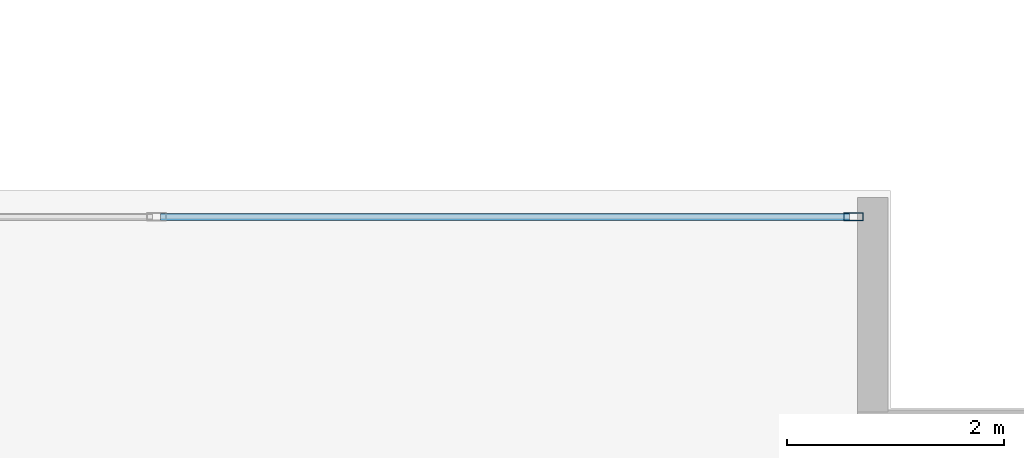
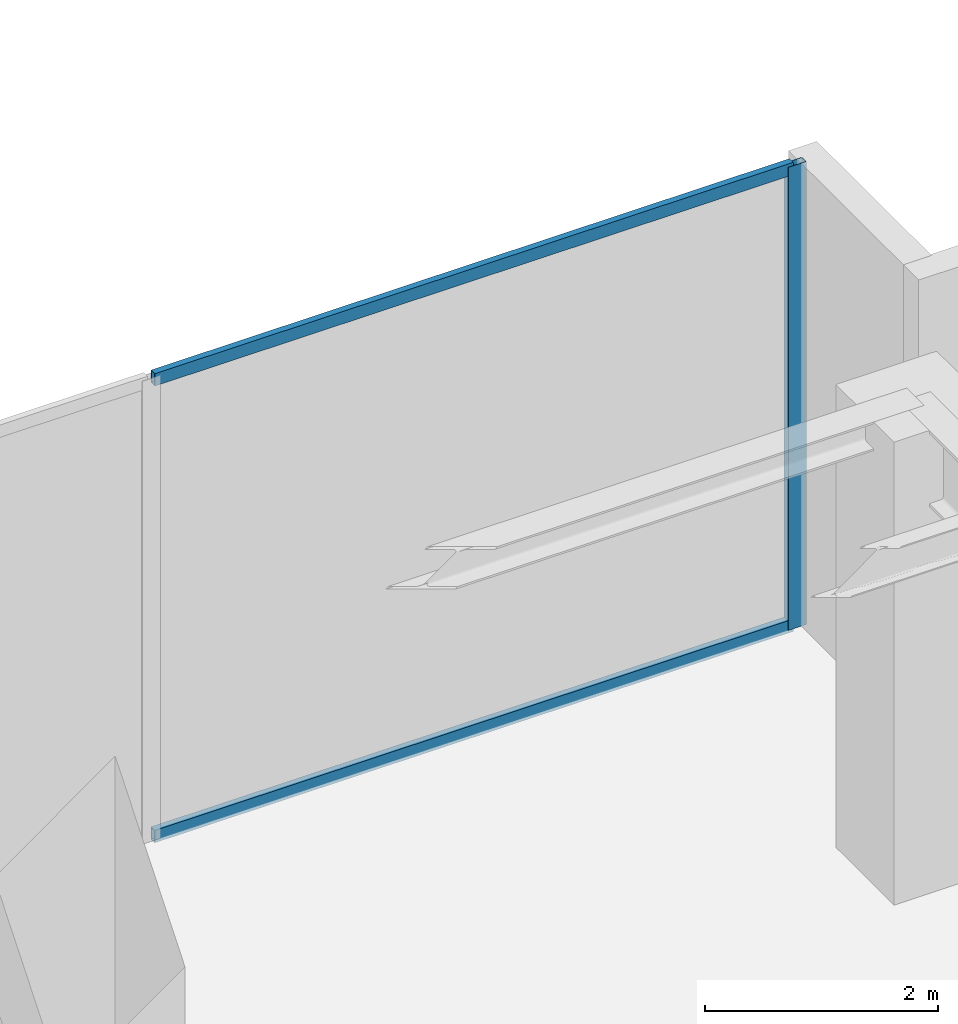
# One storey, part 21 of 36: 3 members, 1 element without a shape of its own.
"""IFC4 building model written with IfcOpenShell, lengths in metres."""

from ifc_helpers import new_model, si_unit, direction, frame, origin, origin_with_axes, origin_2d, place, context, subcontext, project, spatial, hollow_rectangle, extrude, source, transform, mapped, material, layer, layer_set, material_profile, profile_set, type_object, element, aggregate, save


model = new_model("IFC4")

# Units and contexts
model_context = context("Model", 3, precision=1e-05, world=origin(), true_north=direction((0.0, 1.0)))
body_context = subcontext(model_context, "Body", "Model", "MODEL_VIEW")
ifc_project = project(units=[si_unit("LENGTHUNIT", "METRE"), si_unit("AREAUNIT", "SQUARE_METRE"), si_unit("VOLUMEUNIT", "CUBIC_METRE"), si_unit("PLANEANGLEUNIT", "RADIAN"), si_unit("MASSUNIT", "GRAM", prefix="KILO")], contexts=[model_context])

# Site, building, storey
site_placement = place(None, origin())
site = spatial("IfcSite", under=ifc_project, at=site_placement, CompositionType="ELEMENT")
building_placement = place(site_placement, origin())
building = spatial("IfcBuilding", under=site, at=building_placement, Name="Kolvaren Waterfront Exchange", CompositionType="ELEMENT")
storey_placement = place(building_placement, frame((0.0, 0.0, 199.39990234375)))
storey = spatial("IfcBuildingStorey", under=building, at=storey_placement, Name="L51", CompositionType="ELEMENT", Elevation=199.39990234375)

# Curtain wall, members
ifc_material_1 = material(Name="Anodised dark bronze spandrel aluminium", Category="aluminium")
ifc_layer = layer(ifc_material_1, 0.219970703125, Name="Anodised dark bronze spandrel aluminium")
ifc_layer_set = layer_set([ifc_layer], Name="Anodised dark bronze spandrel aluminium")
curtain_wall_type = type_object("IfcCurtainWallType", Name="ARC-CW-SYS6", PredefinedType="USERDEFINED", material=ifc_layer_set)
curtain_wall_placement = place(storey_placement, origin())
curtain_wall = element("IfcCurtainWall", 1, at=curtain_wall_placement, inside=storey, type_object=curtain_wall_type, Name="L51 stick curtain wall CW6 (CW-L51-EN)", ObjectType="STICK CURTAIN WALL", PredefinedType="USERDEFINED")
ifc_material_2 = material(Name="Anodised bronze aluminium 6063-T6", Category="aluminium")
ifc_material_profile_1 = material_profile(ifc_material_2, hollow_rectangle(XDim=0.074951171875, YDim=0.179931640625, WallThickness=0.00439453125, at=origin_2d()), Name="ALU-MUL-180x75x4.5")
ifc_profile_set_1 = profile_set([ifc_material_profile_1], Name="Anodised bronze aluminium 6063-T6")
member_type_1 = type_object("IfcMemberType", Name="ARC-CWM-180", PredefinedType="MULLION", material=ifc_profile_set_1)
shared_shape_1 = source(origin_with_axes(), body_context, "Body", "SweptSolid", [
    extrude(hollow_rectangle(XDim=0.074951171875, YDim=0.179931640625, WallThickness=0.00439453125, at=origin_2d()), origin(), (0.0, 0.0, 1.0), 4.860107421875),
])
member_1_placement = place(storey_placement, frame((54.66259765625, 20.9599609375, 0.0), z_axis=(0.0, 0.0, 1.0), x_axis=(0.0, 1.0, 0.0)))
member_1 = element("IfcMember", 2, at=member_1_placement, type_object=member_type_1, Name="CW6 mullion 5", PredefinedType="MULLION", context=body_context, shape_type="MappedRepresentation", body=[
    mapped(shared_shape_1, transform((0.0, 0.0, 0.0), x_axis=(1.0, 0.0, 0.0), y_axis=(0.0, 1.0, 0.0), z_axis=(0.0, 0.0, 1.0), scale=1.0)),
])
ifc_material_profile_2 = material_profile(ifc_material_2, hollow_rectangle(XDim=0.06494140625, YDim=0.1298828125, WallThickness=0.00390625, at=origin_2d()), Name="ALU-TRN-130x65x4")
ifc_profile_set_2 = profile_set([ifc_material_profile_2], Name="Anodised bronze aluminium 6063-T6")
member_type_2 = type_object("IfcMemberType", Name="ARC-CWT-130", PredefinedType="USERDEFINED", material=ifc_profile_set_2)
shared_shape_2 = source(origin_with_axes(), body_context, "Body", "SweptSolid", [
    extrude(hollow_rectangle(XDim=0.06494140625, YDim=0.1298828125, WallThickness=0.00390625, at=origin_2d()), origin(), (0.0, 0.0, 1.0), 6.340087890625),
])
member_2_placement = place(storey_placement, frame((48.284912109375, 20.9599609375, 0.03271484375), z_axis=(1.0, 0.0, 0.0), x_axis=(0.0, 1.0, 0.0)))
member_2 = element("IfcMember", 3, at=member_2_placement, type_object=member_type_2, Name="CW6 transom 4.1", ObjectType="TRANSOM", PredefinedType="USERDEFINED", context=body_context, shape_type="MappedRepresentation", body=[
    mapped(shared_shape_2, transform((0.0, 0.0, 0.0), x_axis=(1.0, 0.0, 0.0), y_axis=(0.0, 1.0, 0.0), z_axis=(0.0, 0.0, 1.0), scale=1.0)),
])
member_3_placement = place(storey_placement, frame((48.284912109375, 20.9599609375, 4.82763671875), z_axis=(1.0, 0.0, 0.0), x_axis=(0.0, 1.0, 0.0)))
member_3 = element("IfcMember", 4, at=member_3_placement, type_object=member_type_2, Name="CW6 transom 4.2", ObjectType="TRANSOM", PredefinedType="USERDEFINED", context=body_context, shape_type="MappedRepresentation", body=[
    mapped(shared_shape_2, transform((0.0, 0.0, 0.0), x_axis=(1.0, 0.0, 0.0), y_axis=(0.0, 1.0, 0.0), z_axis=(0.0, 0.0, 1.0), scale=1.0)),
])
aggregate(curtain_wall, [member_1, member_2, member_3])

save(model, "model.ifc")
